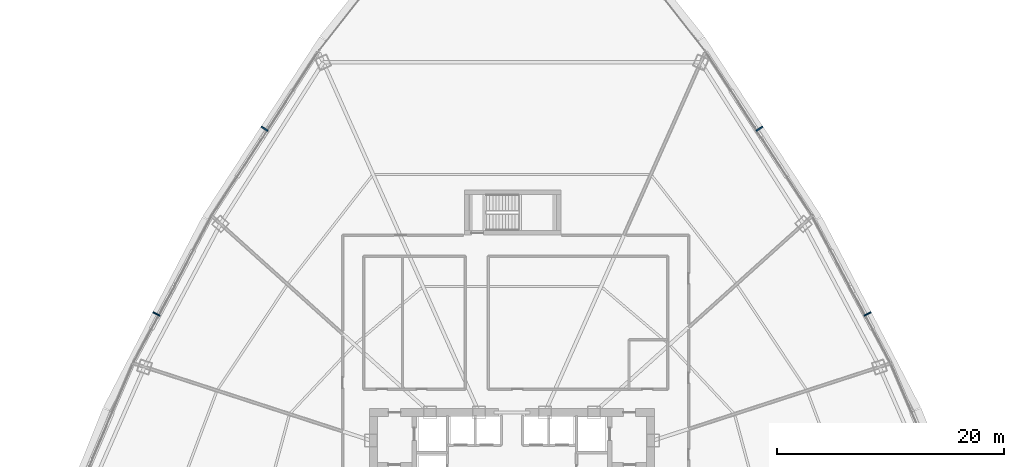
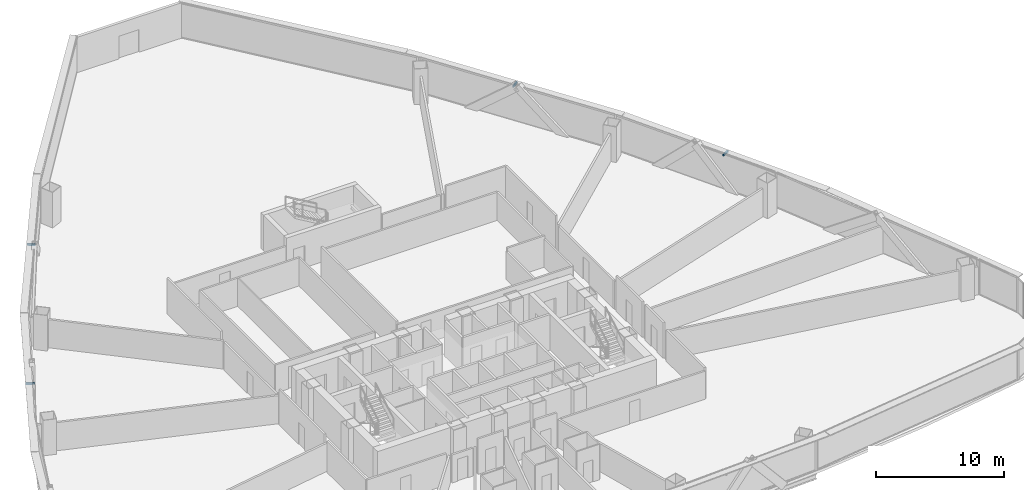
# One storey, part 36 of 40: 4 discrete accessories.
"""IFC4 building model written with IfcOpenShell, lengths in metres."""

from ifc_helpers import new_model, si_unit, direction, frame, origin, origin_2d, place, context, subcontext, project, spatial, rectangle, extrude, source, transform, mapped, material, type_object, element, save


model = new_model("IFC4")

# Units and contexts
model_context = context("Model", 3, precision=1e-05, world=origin(), true_north=direction((0.0, 1.0)))
body_context = subcontext(model_context, "Body", "Model", "MODEL_VIEW")
ifc_project = project(units=[si_unit("LENGTHUNIT", "METRE"), si_unit("AREAUNIT", "SQUARE_METRE"), si_unit("VOLUMEUNIT", "CUBIC_METRE"), si_unit("PLANEANGLEUNIT", "RADIAN"), si_unit("MASSUNIT", "GRAM", prefix="KILO"), si_unit("THERMODYNAMICTEMPERATUREUNIT", "KELVIN"), si_unit("POWERUNIT", "WATT")], contexts=[model_context])

# Site, building, storey
site_placement = place(None, origin())
site = spatial("IfcSite", under=ifc_project, at=site_placement, CompositionType="ELEMENT")
building_placement = place(site_placement, origin())
building = spatial("IfcBuilding", under=site, at=building_placement, Name="Yunzhuo Pagoda Commons", CompositionType="ELEMENT")
storey_placement = place(building_placement, frame((0.0, 0.0, 66.699951171875)))
storey = spatial("IfcBuildingStorey", under=building, at=storey_placement, Name="L17", CompositionType="ELEMENT", Elevation=66.699951171875)

# Discrete accessories
ifc_material = material(Name="Anodized aluminium 6063-T6", Category="aluminium")
discrete_accessory_type = type_object("IfcDiscreteAccessoryType", Name="BK-SUN1 Sunshade Outrigger Bracket", PredefinedType="BRACKET", material=ifc_material)
shared_shape = source(origin(), body_context, "Body", "SweptSolid", [
    extrude(rectangle(XDim=0.1201171875, YDim=0.679931640625, at=origin_2d()), origin(), (0.0, 0.0, 1.0), 0.179931640625),
])
for number, where, z_axis, x_axis, name in (
    (1, (79.2890625, 48.8671875, 3.16015625), (0.0, 0.0, 1.0), (-0.461206683033, 0.88729273384, 0.0), "L17 sunshade outrigger bracket F2.2"),
    (2, (69.7705078125, 65.17333984375, 3.16015625), (0.0, 0.0, 1.0), (-0.545838756973, 0.837890238269, 0.0), "L17 sunshade outrigger bracket F2.3"),
    (3, (26.2294921875, 65.17333984375, 3.16015625), (0.0, 0.0, 1.0), (-0.545838756973, -0.837890238269, 0.0), "L17 sunshade outrigger bracket F3.2"),
    (4, (16.7109375, 48.8671875, 3.16015625), (0.0, 0.0, 1.0), (-0.461206683033, -0.88729273384, 0.0), "L17 sunshade outrigger bracket F3.3"),
):
    element("IfcDiscreteAccessory", number, at=place(storey_placement, frame(where, z_axis=z_axis, x_axis=x_axis)), inside=storey, type_object=discrete_accessory_type, Name=name, PredefinedType="BRACKET", context=body_context, shape_type="MappedRepresentation", body=[
        mapped(shared_shape, transform((0.0, 0.0, 0.0), scale=1.0)),
    ])

save(model, "model.ifc")
